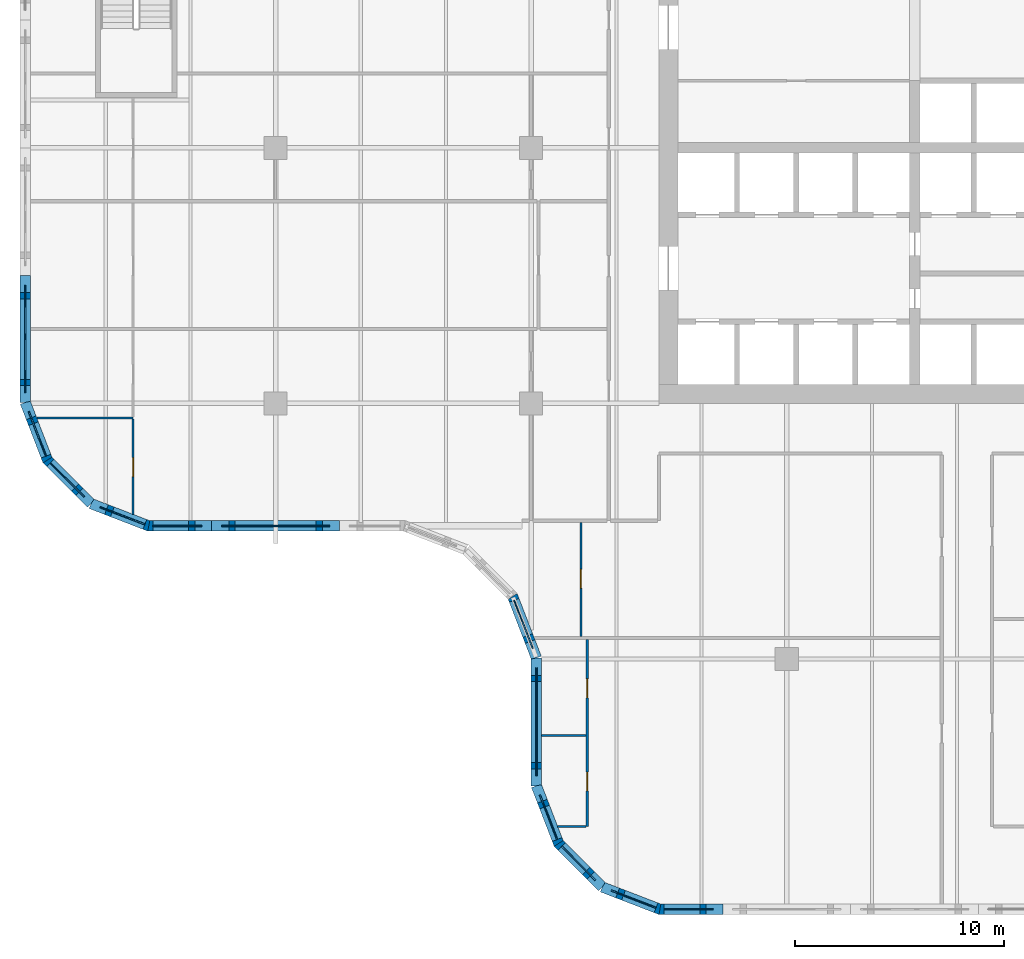
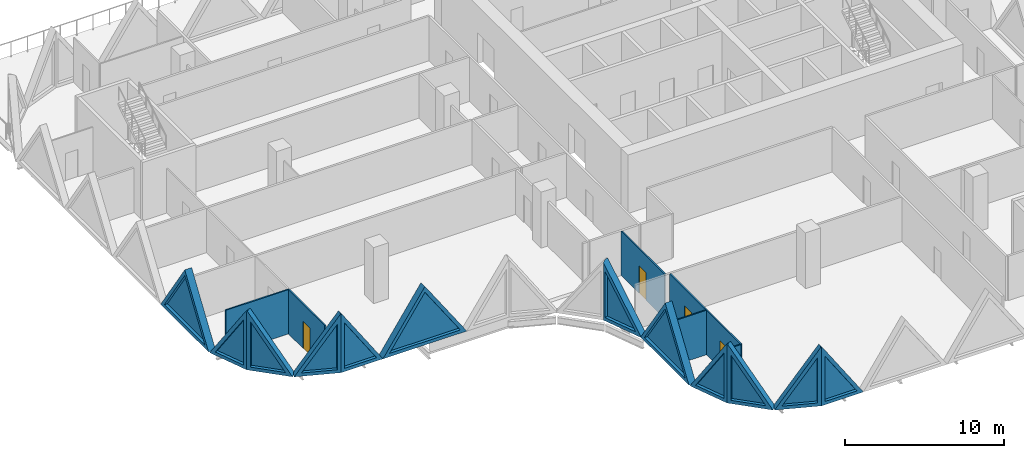
# One storey, part 6 of 21: 18 walls, 12 plates, 4 doors, 16 openings.
"""IFC4 building model written with IfcOpenShell, lengths in metres."""

import ifcopenshell
import ifcopenshell.guid

model = None  # the IFC model being written
_history = None  # IfcOwnerHistory: only IFC2X3 demands one
_inside = {}  # id of a spatial element -> (the spatial element, [elements in it])
_under = {}  # id of a project, library or spatial element -> (it, [spatial elements below it])
_declared = {}  # id of a project -> (the project, [libraries it declares])
_typed = {}  # id of a type object -> (the type object, [elements of that type])
_made_of = {}  # id of a material, layer set ... -> (it, [elements and type objects made of it])


def new_model(schema):
    """Start an empty IFC model of exactly this schema.

    Asked for "IFC4X3", IfcOpenShell would pick the latest addendum, in which some entities
    have other attributes; the version numbers below select the first issue.
    IFC2X3 requires an IfcOwnerHistory on every rooted entity: one is made here for all.
    """
    global model, _history
    if schema == "IFC4X3":
        model = ifcopenshell.file(schema_version=(4, 3, 0, 0))
    else:
        model = ifcopenshell.file(schema=schema)
    _inside.clear()
    _under.clear()
    _declared.clear()
    _typed.clear()
    _made_of.clear()
    _history = None
    if model.schema == "IFC2X3":
        org = make("IfcOrganization", Name="unknown")
        user = make(
            "IfcPersonAndOrganization",
            ThePerson=make("IfcPerson", FamilyName="unknown"),
            TheOrganization=org,
        )
        app = make(
            "IfcApplication",
            ApplicationDeveloper=org,
            Version="unknown",
            ApplicationFullName="unknown",
            ApplicationIdentifier="unknown",
        )
        _history = make(
            "IfcOwnerHistory",
            OwningUser=user,
            OwningApplication=app,
            ChangeAction="ADDED",
            CreationDate=0,
        )
    return model


def make(cls, **values):
    """One entity of the class cls with the attributes given. An attribute that is None is left unset."""
    return model.create_entity(
        cls, **{name: value for name, value in values.items() if value is not None}
    )


def rooted(cls, **values):
    """An entity with a GlobalId (a new one), such as an element, a storey or a relation."""
    return make(cls, GlobalId=ifcopenshell.guid.new(), OwnerHistory=_history, **values)


def si_unit(unit_type, name, prefix=None):
    """IfcSIUnit, for example si_unit("LENGTHUNIT", "METRE", prefix="MILLI")."""
    return make("IfcSIUnit", UnitType=unit_type, Prefix=prefix, Name=name)


def assignment(units):
    """IfcUnitAssignment: the units of a project."""
    return None if units is None else make("IfcUnitAssignment", Units=units)


def point(xyz):
    """IfcCartesianPoint."""
    return None if xyz is None else make("IfcCartesianPoint", Coordinates=xyz)


def direction(xyz):
    """IfcDirection."""
    return None if xyz is None else make("IfcDirection", DirectionRatios=xyz)


def frame(location, z_axis=None, x_axis=None):
    """IfcAxis2Placement3D, a coordinate frame: its origin and axes. An axis left out is left unset."""
    return make(
        "IfcAxis2Placement3D",
        Location=point(location),
        Axis=direction(z_axis),
        RefDirection=direction(x_axis),
    )


def frame_2d(location, x_axis=None):
    """IfcAxis2Placement2D, a coordinate frame in the plane: its origin and x axis."""
    return make(
        "IfcAxis2Placement2D", Location=point(location), RefDirection=direction(x_axis)
    )


def origin():
    """The frame at (0, 0, 0) with its axes left unset."""
    return frame((0.0, 0.0, 0.0))


def place(relative_to, where):
    """IfcLocalPlacement: puts the frame where relative to a parent placement (None: the world)."""
    return make(
        "IfcLocalPlacement", PlacementRelTo=relative_to, RelativePlacement=where
    )


def context(
    kind, dimensions, precision=None, world=None, true_north=None, identifier=None
):
    """IfcGeometricRepresentationContext, for example the 3D "Model" context."""
    return make(
        "IfcGeometricRepresentationContext",
        ContextIdentifier=identifier,
        ContextType=kind,
        CoordinateSpaceDimension=dimensions,
        Precision=precision,
        WorldCoordinateSystem=world,
        TrueNorth=true_north,
    )


def subcontext(parent, identifier, kind, view, scale=None):
    """IfcGeometricRepresentationSubContext, for example "Body" below "Model"."""
    return make(
        "IfcGeometricRepresentationSubContext",
        ContextIdentifier=identifier,
        ContextType=kind,
        ParentContext=parent,
        TargetScale=scale,
        TargetView=view,
    )


def project(units=None, contexts=None):
    """IfcProject with its units and contexts."""
    return rooted(
        "IfcProject",
        Name="project",
        RepresentationContexts=contexts,
        UnitsInContext=assignment(units),
    )


def spatial(cls, under=None, at=None, **own):
    """A site, building, storey or space (cls), placed at a placement, below another one or the project."""
    s = rooted(cls, ObjectPlacement=at, **own)
    if under is not None:
        _under.setdefault(under.id(), (under, []))[1].append(s)
    return s


def polyline(points):
    """IfcPolyline through the points."""
    return make("IfcPolyline", Points=[point(p) for p in points])


def profile(cls, at=None, kind="AREA", **sizes):
    """A parametric profile (cls). Its sizes go by their IFC names, for example OverallWidth=200.0."""
    return make(cls, ProfileType=kind, Position=at, **sizes)


def rectangle(**sizes):
    """IfcRectangleProfileDef."""
    return profile("IfcRectangleProfileDef", **sizes)


def outline(outer, holes=None, kind="AREA"):
    """IfcArbitraryClosedProfileDef: a profile drawn as a closed curve; with holes, ...WithVoids."""
    if holes is None:
        return make("IfcArbitraryClosedProfileDef", ProfileType=kind, OuterCurve=outer)
    return make(
        "IfcArbitraryProfileDefWithVoids",
        ProfileType=kind,
        OuterCurve=outer,
        InnerCurves=holes,
    )


def extrude(swept, where, along, depth):
    """IfcExtrudedAreaSolid: the profile swept, set in the frame where, extruded along a direction by depth."""
    return make(
        "IfcExtrudedAreaSolid",
        SweptArea=swept,
        Position=where,
        ExtrudedDirection=direction(along),
        Depth=depth,
    )


def faces_of(points, faces, orient=None, outer=None):
    """IfcFace entities. A face is a list of loops; a loop is a list of indices into points, from 0.

    orient and outer hold one flag for each loop. By default every Orientation is true, the
    first loop of a face is its IfcFaceOuterBound and the others are IfcFaceBound.
    """
    made = []
    for i, loops in enumerate(faces):
        bounds = []
        for j, loop in enumerate(loops):
            is_outer = j == 0 if outer is None else outer[i][j]
            bounds.append(
                make(
                    "IfcFaceOuterBound" if is_outer else "IfcFaceBound",
                    Bound=make("IfcPolyLoop", Polygon=[points[k] for k in loop]),
                    Orientation=True if orient is None else orient[i][j],
                )
            )
        made.append(make("IfcFace", Bounds=bounds))
    return made


def faceted_brep(points, faces, orient=None, outer=None, voids=None):
    """IfcFacetedBrep: a solid bounded by flat faces; with voids (closed shells), ...WithVoids."""
    shared = [point(p) for p in points]
    hull = make("IfcClosedShell", CfsFaces=faces_of(shared, faces, orient, outer))
    if voids is None:
        return make("IfcFacetedBrep", Outer=hull)
    return make(
        "IfcFacetedBrepWithVoids",
        Outer=hull,
        Voids=[
            make(cls, CfsFaces=faces_of(shared, fs, o, b)) for cls, fs, o, b in voids
        ],
    )


def shape(context_of_items, identifier, shape_type, items):
    """IfcShapeRepresentation: the items that make up one representation, for example the "Body"."""
    return make(
        "IfcShapeRepresentation",
        ContextOfItems=context_of_items,
        RepresentationIdentifier=identifier,
        RepresentationType=shape_type,
        Items=items,
    )


def source(mapping_origin, context_of_items, identifier, shape_type, items):
    """IfcRepresentationMap: a shape defined once, which mapped items show again and again."""
    return make(
        "IfcRepresentationMap",
        MappingOrigin=mapping_origin,
        MappedRepresentation=shape(context_of_items, identifier, shape_type, items),
    )


def transform(
    local_origin,
    x_axis=None,
    y_axis=None,
    z_axis=None,
    scale=None,
    scale2=None,
    scale3=None,
    uniform=True,
):
    """IfcCartesianTransformationOperator3D, or its non-uniform kind. x_axis, y_axis, z_axis: its Axis1, 2, 3."""
    if uniform:
        return make(
            "IfcCartesianTransformationOperator3D",
            Axis1=direction(x_axis),
            Axis2=direction(y_axis),
            LocalOrigin=point(local_origin),
            Scale=scale,
            Axis3=direction(z_axis),
        )
    return make(
        "IfcCartesianTransformationOperator3DnonUniform",
        Axis1=direction(x_axis),
        Axis2=direction(y_axis),
        LocalOrigin=point(local_origin),
        Scale=scale,
        Axis3=direction(z_axis),
        Scale2=scale2,
        Scale3=scale3,
    )


def mapped(mapping_source, mapping_target):
    """IfcMappedItem: shows the shape of a source again, moved by a transform."""
    return make(
        "IfcMappedItem", MappingSource=mapping_source, MappingTarget=mapping_target
    )


def material(Name=None, Category=None):
    """IfcMaterial."""
    return make("IfcMaterial", Name=Name, Category=Category)


def layer(
    of_material, thickness, ventilated=None, Name=None, Category=None, Priority=None
):
    """IfcMaterialLayer: one layer of a wall or slab, of a material (None: an air gap)."""
    return make(
        "IfcMaterialLayer",
        Material=of_material,
        LayerThickness=thickness,
        IsVentilated=ventilated,
        Name=Name,
        Category=Category,
        Priority=Priority,
    )


def layer_set(layers, Name=None):
    """IfcMaterialLayerSet."""
    return make("IfcMaterialLayerSet", MaterialLayers=layers, LayerSetName=Name)


def made_of(thing, what):
    """Note that an element or type object is made of a material, layer set ...; save() writes the relation."""
    if what is not None:
        _made_of.setdefault(what.id(), (what, []))[1].append(thing)
    return thing


def type_object(cls, material=None, **own):
    """A type object (cls), such as IfcWallType, which elements share."""
    return made_of(rooted(cls, **own), material)


def element(
    cls,
    number,
    at=None,
    inside=None,
    cuts=None,
    type_object=None,
    material=None,
    context=None,
    identifier="Body",
    shape_type=None,
    held_by="IfcProductDefinitionShape",
    body=None,
    shapes=None,
    **own,
):
    """One element of the class cls, such as IfcWall. Its Tag is "e" and its number.

    at: its placement. inside: the storey or other place that contains it. cuts: it is an
    opening in that element (IfcRelVoidsElement). A single representation is given by context,
    identifier, shape_type and body (its items); several are given by shapes. held_by: the class
    of the entity that holds the representations. save() writes the other relations.
    """
    e = rooted(cls, Tag="e%d" % number, ObjectPlacement=at, **own)
    if body is not None:
        shapes = [shape(context, identifier, shape_type, body)]
    if shapes is not None:
        e.Representation = make(held_by, Representations=shapes)
    if inside is not None:
        _inside.setdefault(inside.id(), (inside, []))[1].append(e)
    if cuts is not None:
        rooted(
            "IfcRelVoidsElement", RelatingBuildingElement=cuts, RelatedOpeningElement=e
        )
    if type_object is not None:
        _typed.setdefault(type_object.id(), (type_object, []))[1].append(e)
    return made_of(e, material)


def fill(opening, filler):
    """IfcRelFillsElement: the door or window that sits in an opening."""
    return rooted(
        "IfcRelFillsElement",
        RelatingOpeningElement=opening,
        RelatedBuildingElement=filler,
    )


def aggregate(whole, parts):
    """IfcRelAggregates: a whole, such as a stair, and the parts it consists of."""
    return rooted("IfcRelAggregates", RelatingObject=whole, RelatedObjects=parts)


def save(model, path):
    """Write the relations noted so far, then the file.

    IfcRelAggregates (storeys below a building ...), IfcRelContainedInSpatialStructure (elements
    in a storey), IfcRelDefinesByType, IfcRelAssociatesMaterial and IfcRelDeclares: one each for
    every whole, place, type object, material and project.
    """
    for whole, parts in _under.values():
        aggregate(whole, parts)
    for where, things in _inside.values():
        rooted(
            "IfcRelContainedInSpatialStructure",
            RelatedElements=things,
            RelatingStructure=where,
        )
    for kind, things in _typed.values():
        rooted("IfcRelDefinesByType", RelatedObjects=things, RelatingType=kind)
    for what, things in _made_of.values():
        rooted("IfcRelAssociatesMaterial", RelatedObjects=things, RelatingMaterial=what)
    for by, libraries in _declared.values():
        rooted("IfcRelDeclares", RelatingContext=by, RelatedDefinitions=libraries)
    model.write(path)


model = new_model("IFC4")

# Units and contexts
model_context = context("Model", 3, precision=1e-05, world=origin(), true_north=direction((0.0, 1.0)))
body_context = subcontext(model_context, "Body", "Model", "MODEL_VIEW")
ifc_project = project(units=[si_unit("LENGTHUNIT", "METRE"), si_unit("AREAUNIT", "SQUARE_METRE"), si_unit("VOLUMEUNIT", "CUBIC_METRE"), si_unit("PLANEANGLEUNIT", "RADIAN"), si_unit("MASSUNIT", "GRAM", prefix="KILO")], contexts=[model_context])

# Site, building, storey
site_placement = place(None, origin())
site = spatial("IfcSite", under=ifc_project, at=site_placement, CompositionType="ELEMENT")
building_placement = place(site_placement, origin())
building = spatial("IfcBuilding", under=site, at=building_placement, Name="Tessera Gate Towers", CompositionType="ELEMENT")
storey_placement = place(building_placement, frame((0.0, 0.0, 16.800048828125)))
storey = spatial("IfcBuildingStorey", under=building, at=storey_placement, Name="L03", CompositionType="ELEMENT", Elevation=16.800048828125)

# Wall
ifc_material_1 = material(Name="Gypsum board on steel studs", Category="steel")
ifc_layer_1 = layer(ifc_material_1, 0.10009765625)
ifc_layer_set_1 = layer_set([ifc_layer_1], Name="PARTITION 100")
wall_type_1 = type_object("IfcWallType", Name="PARTITION 100", PredefinedType="PARTITIONING", material=ifc_layer_set_1)
wall_1_placement = place(storey_placement, frame((25.668701171875, 4.199951171875, 0.0), z_axis=(0.0, 0.0, 1.0), x_axis=(1.0, 0.0, 0.0)))
element("IfcWall", 1, at=wall_1_placement, inside=storey, type_object=wall_type_1, Name="T1-L03-PW-003", PredefinedType="PARTITIONING", context=body_context, shape_type="SweptSolid", body=[
    extrude(rectangle(XDim=1.355224609375, YDim=0.10009765625, at=frame_2d((0.677734375, 0.0))), origin(), (0.0, 0.0, 1.0), 3.4150390625),
])

# Wall, openings, doors
wall_2_placement = place(storey_placement, frame((27.074951171875, 4.199951171875, 0.0), z_axis=(0.0, 0.0, 1.0), x_axis=(0.0, 1.0, 0.0)))
wall_2 = element("IfcWall", 2, at=wall_2_placement, inside=storey, type_object=wall_type_1, Name="T1-L03-PW-004", PredefinedType="PARTITIONING", context=body_context, shape_type="SweptSolid", body=[
    extrude(rectangle(XDim=8.924072265625, YDim=0.10009765625, at=frame_2d((4.4619140625, 0.0))), origin(), (0.0, 0.0, 1.0), 3.4150390625),
])
shared_shape_1 = source(origin(), body_context, "Body", "SweptSolid", [
    extrude(rectangle(XDim=0.89990234375, YDim=2.10009765625, at=frame_2d((0.449951171875, 1.050048828125))), frame((0.0, 0.06005859375, 0.0), z_axis=(0.0, -1.0, 0.0), x_axis=(1.0, 0.0, 0.0)), (0.0, 0.0, 1.0), 0.1201171875),
])
opening_1_placement = place(wall_2_placement, frame((6.147705078125, 0.0, 0.0)))
opening_1 = element("IfcOpeningElement", 3, at=opening_1_placement, cuts=wall_2, Name="Opening D190-A00-03", PredefinedType="OPENING", context=body_context, shape_type="MappedRepresentation", body=[
    mapped(shared_shape_1, transform((0.0, 0.0, 0.0), scale=1.0)),
])
opening_2_placement = place(wall_2_placement, frame((1.699951171875, 0.0, 0.0)))
opening_2 = element("IfcOpeningElement", 4, at=opening_2_placement, cuts=wall_2, Name="Opening D190-A00-08", PredefinedType="OPENING", context=body_context, shape_type="MappedRepresentation", body=[
    mapped(shared_shape_1, transform((0.0, 0.0, 0.0), scale=1.0)),
])
ifc_material_2 = material(Name="Timber door leaf in steel frame", Category="steel")
door_type = type_object("IfcDoorType", Name="INTERNAL DOOR 900 NOT RATED", OperationType="NOTDEFINED", PredefinedType="DOOR", material=ifc_material_2)
shared_shape_2 = source(origin(), body_context, "Body", "SweptSolid", [
    extrude(rectangle(XDim=0.89990234375, YDim=2.10009765625, at=frame_2d((0.449951171875, 1.050048828125))), frame((0.0, 0.02490234375, 0.0), z_axis=(0.0, -1.0, 0.0), x_axis=(1.0, 0.0, 0.0)), (0.0, 0.0, 1.0), 0.050048828125),
])
door_1_placement = place(opening_1_placement, origin())
door_1 = element("IfcDoor", 5, at=door_1_placement, inside=storey, type_object=door_type, Name="T1-L03-PD-004", OperationType="SINGLE_SWING_LEFT", OverallHeight=2.10009765625, OverallWidth=0.89990234375, PredefinedType="DOOR", context=body_context, shape_type="MappedRepresentation", body=[
    mapped(shared_shape_2, transform((0.0, 0.0, 0.0), scale=1.0)),
])
fill(opening_1, door_1)
door_2_placement = place(opening_2_placement, origin())
door_2 = element("IfcDoor", 6, at=door_2_placement, inside=storey, type_object=door_type, Name="T1-L03-PD-011", OperationType="SINGLE_SWING_LEFT", OverallHeight=2.10009765625, OverallWidth=0.89990234375, PredefinedType="DOOR", context=body_context, shape_type="MappedRepresentation", body=[
    mapped(shared_shape_2, transform((0.0, 0.0, 0.0), scale=1.0)),
])
fill(opening_2, door_2)

# Wall
wall_3_placement = place(storey_placement, frame((24.89990234375, 8.548095703125, 0.0), z_axis=(0.0, 0.0, 1.0), x_axis=(1.0, 0.0, 0.0)))
element("IfcWall", 7, at=wall_3_placement, inside=storey, type_object=wall_type_1, Name="T1-L03-PW-008", PredefinedType="PARTITIONING", context=body_context, shape_type="SweptSolid", body=[
    extrude(rectangle(XDim=2.1240234375, YDim=0.10009765625, at=frame_2d((1.06201171875, 0.0))), origin(), (0.0, 0.0, 1.0), 3.4150390625),
])

# Wall, opening, door
wall_4_placement = place(storey_placement, frame((26.77490234375, 13.27587890625, 0.0), z_axis=(0.0, 0.0, 1.0), x_axis=(0.0, 1.0, 0.0)))
wall_4 = element("IfcWall", 8, at=wall_4_placement, inside=storey, type_object=wall_type_1, Name="T1-L03-PW-011", PredefinedType="PARTITIONING", context=body_context, shape_type="SweptSolid", body=[
    extrude(rectangle(XDim=5.4482421875, YDim=0.10009765625, at=frame_2d((2.72412109375, 0.0))), origin(), (0.0, 0.0, 1.0), 3.4150390625),
])
opening_3_placement = place(wall_4_placement, frame((2.300048828125, 0.0, 0.0)))
opening_3 = element("IfcOpeningElement", 9, at=opening_3_placement, cuts=wall_4, Name="Opening D190-A00-07", PredefinedType="OPENING", context=body_context, shape_type="MappedRepresentation", body=[
    mapped(shared_shape_1, transform((0.0, 0.0, 0.0), scale=1.0)),
])
door_3_placement = place(opening_3_placement, origin())
door_3 = element("IfcDoor", 10, at=door_3_placement, inside=storey, type_object=door_type, Name="T1-L03-PD-010", OperationType="SINGLE_SWING_LEFT", OverallHeight=2.10009765625, OverallWidth=0.89990234375, PredefinedType="DOOR", context=body_context, shape_type="MappedRepresentation", body=[
    mapped(shared_shape_2, transform((0.0, 0.0, 0.0), scale=1.0)),
])
fill(opening_3, door_3)

wall_5_placement = place(storey_placement, frame((5.39990234375, 19.10595703125, 0.0), z_axis=(0.0, 0.0, 1.0), x_axis=(0.0, 1.0, 0.0)))
wall_5 = element("IfcWall", 11, at=wall_5_placement, inside=storey, type_object=wall_type_1, Name="T1-L03-PW-021", PredefinedType="PARTITIONING", context=body_context, shape_type="SweptSolid", body=[
    extrude(rectangle(XDim=4.538330078125, YDim=0.10009765625, at=frame_2d((2.26904296875, 0.0))), origin(), (0.0, 0.0, 1.0), 3.4150390625),
])
opening_4_placement = place(wall_5_placement, frame((1.800048828125, 0.0, 0.0)))
opening_4 = element("IfcOpeningElement", 12, at=opening_4_placement, cuts=wall_5, Name="Opening D190-A00-02", PredefinedType="OPENING", context=body_context, shape_type="MappedRepresentation", body=[
    mapped(shared_shape_1, transform((0.0, 0.0, 0.0), scale=1.0)),
])
door_4_placement = place(opening_4_placement, origin())
door_4 = element("IfcDoor", 13, at=door_4_placement, inside=storey, type_object=door_type, Name="T1-L03-PD-003", OperationType="SINGLE_SWING_LEFT", OverallHeight=2.10009765625, OverallWidth=0.89990234375, PredefinedType="DOOR", context=body_context, shape_type="MappedRepresentation", body=[
    mapped(shared_shape_2, transform((0.0, 0.0, 0.0), scale=1.0)),
])
fill(opening_4, door_4)

# Wall
wall_6_placement = place(storey_placement, frame((0.807861328125, 23.695068359375, 0.0), z_axis=(0.0, 0.0, 1.0), x_axis=(1.0, 0.0, 0.0)))
element("IfcWall", 14, at=wall_6_placement, inside=storey, type_object=wall_type_1, Name="T1-L03-PW-026", PredefinedType="PARTITIONING", context=body_context, shape_type="SweptSolid", body=[
    extrude(rectangle(XDim=4.592041015625, YDim=0.10009765625, at=frame_2d((2.2958984375, 0.0))), origin(), (0.0, 0.0, 1.0), 3.4150390625),
])

# Wall, opening, plate
ifc_material_3 = material(Name="Precast concrete C60/75 white", Category="concrete")
ifc_layer_2 = layer(ifc_material_3, 0.5)
ifc_layer_set_2 = layer_set([ifc_layer_2], Name="TS3 corner tessera")
wall_type_2 = type_object("IfcWallType", Name="TS3 corner tessera", PredefinedType="SOLIDWALL", material=ifc_layer_set_2)
shared_shape_3 = source(origin(), body_context, "Body", "Brep", [
    faceted_brep([(3.050048828125, -0.25, 0.0), (0.046630859375, -0.25, 4.5), (0.0, -0.25, 4.428955078125), (0.0, -0.25, 0.0), (0.09326171875, 0.25, 4.43017578125), (3.050048828125, 0.25, 0.0), (0.09326171875, 0.25, 0.0), (0.046630859375, 0.0, 4.5)], [[[0, 1, 2, 3]], [[4, 5, 6]], [[5, 4, 7, 1, 0]], [[2, 1, 7]], [[6, 5, 0, 3]], [[6, 3, 2, 7, 4]]]),
])
wall_7_placement = place(storey_placement, frame((30.5, 0.25, 0.0), z_axis=(0.0, 0.0, 1.0), x_axis=(1.0, 0.0, 0.0)))
wall_7 = element("IfcWall", 15, at=wall_7_placement, inside=storey, type_object=wall_type_2, Name="Precast corner tessera T1 TS3-0001", PredefinedType="SOLIDWALL", context=body_context, shape_type="MappedRepresentation", body=[
    mapped(shared_shape_3, transform((0.0, 0.0, 0.0), scale=1.0)),
])
shared_shape_4 = source(origin(), body_context, "Body", "SweptSolid", [
    extrude(outline(polyline([(2.582763671875, 0.25), (0.24658203125, 3.75), (0.24658203125, 0.25), (2.582763671875, 0.25)])), frame((0.0, 0.260009765625, 0.0), z_axis=(0.0, -1.0, 0.0), x_axis=(1.0, 0.0, 0.0)), (0.0, 0.0, 1.0), 0.52001953125),
])
opening_5_placement = place(wall_7_placement, origin())
opening_5 = element("IfcOpeningElement", 16, at=opening_5_placement, cuts=wall_7, Name="Opening T1-PL1-0001", PredefinedType="OPENING", context=body_context, shape_type="MappedRepresentation", body=[
    mapped(shared_shape_4, transform((0.0, 0.0, 0.0), scale=1.0)),
])
ifc_material_4 = material(Name="Low-e laminated glass", Category="glass")
ifc_layer_3 = layer(ifc_material_4, 0.06005859375)
ifc_layer_set_3 = layer_set([ifc_layer_3], Name="PL1 triangular pane")
plate_type = type_object("IfcPlateType", Name="PL1 triangular pane", PredefinedType="SHEET", material=ifc_layer_set_3)
shared_shape_5 = source(origin(), body_context, "Body", "SweptSolid", [
    extrude(outline(polyline([(2.582763671875, 0.25), (0.24658203125, 3.75), (0.24658203125, 0.25), (2.582763671875, 0.25)])), frame((0.0, 0.030029296875, 0.0), z_axis=(0.0, -1.0, 0.0), x_axis=(1.0, 0.0, 0.0)), (0.0, 0.0, 1.0), 0.06005859375),
])
plate_1_placement = place(opening_5_placement, origin())
plate_1 = element("IfcPlate", 17, at=plate_1_placement, inside=storey, type_object=plate_type, Name="Glass pane T1 PL1-0001", PredefinedType="SHEET", context=body_context, shape_type="MappedRepresentation", body=[
    mapped(shared_shape_5, transform((0.0, 0.0, 0.0), scale=1.0)),
])
fill(opening_5, plate_1)

wall_8_placement = place(storey_placement, frame((6.099853515625, 18.550048828125, 0.0), z_axis=(0.0, 0.0, 1.0), x_axis=(1.0, 0.0, 0.0)))
wall_8 = element("IfcWall", 18, at=wall_8_placement, inside=storey, type_object=wall_type_2, Name="Precast corner tessera T1 TS3-0018", PredefinedType="SOLIDWALL", context=body_context, shape_type="MappedRepresentation", body=[
    mapped(shared_shape_3, transform((0.0, 0.0, 0.0), scale=1.0)),
])
opening_6_placement = place(wall_8_placement, origin())
opening_6 = element("IfcOpeningElement", 19, at=opening_6_placement, cuts=wall_8, Name="Opening T1-PL1-0038", PredefinedType="OPENING", context=body_context, shape_type="MappedRepresentation", body=[
    mapped(shared_shape_4, transform((0.0, 0.0, 0.0), scale=1.0)),
])
plate_2_placement = place(opening_6_placement, origin())
plate_2 = element("IfcPlate", 20, at=plate_2_placement, inside=storey, type_object=plate_type, Name="Glass pane T1 PL1-0038", PredefinedType="SHEET", context=body_context, shape_type="MappedRepresentation", body=[
    mapped(shared_shape_5, transform((0.0, 0.0, 0.0), scale=1.0)),
])
fill(opening_6, plate_2)

shared_shape_6 = source(origin(), body_context, "Body", "Brep", [
    faceted_brep([(2.9970703125, -0.25, 4.43017578125), (2.950439453125, -0.25, 4.5), (0.0, -0.25, 0.0), (2.9970703125, -0.25, 0.0), (0.052978515625, 0.25, 0.080810546875), (2.904052734375, 0.25, 4.42919921875), (2.904052734375, 0.25, 0.0), (0.052978515625, 0.25, 0.0), (2.950439453125, 0.00048828125, 4.5), (0.0, 0.0, 0.0)], [[[0, 1, 2, 3]], [[4, 5, 6, 7]], [[8, 1, 0]], [[5, 4, 9, 2, 1, 8]], [[7, 6, 3, 2, 9]], [[7, 9, 4]], [[3, 6, 5, 8, 0]]]),
])
wall_9_placement = place(storey_placement, frame((27.793701171875, 1.31201171875, 0.0), z_axis=(0.0, 0.0, 1.0), x_axis=(0.932973525033, -0.359944998003, 0.0)))
wall_9 = element("IfcWall", 21, at=wall_9_placement, inside=storey, type_object=wall_type_2, Name="Precast corner tessera T1 TS3-0002", PredefinedType="SOLIDWALL", context=body_context, shape_type="MappedRepresentation", body=[
    mapped(shared_shape_6, transform((0.0, 0.0, 0.0), scale=1.0)),
])
shared_shape_7 = source(origin(), body_context, "Body", "SweptSolid", [
    extrude(outline(polyline([(2.75048828125, 3.739013671875), (0.462890625, 0.25), (2.75048828125, 0.25), (2.75048828125, 3.739013671875)])), frame((0.0, 0.260009765625, 0.0), z_axis=(0.0, -1.0, 0.0), x_axis=(1.0, 0.0, 0.0)), (0.0, 0.0, 1.0), 0.52001953125),
])
opening_7_placement = place(wall_9_placement, origin())
opening_7 = element("IfcOpeningElement", 22, at=opening_7_placement, cuts=wall_9, Name="Opening T1-PL1-0002", PredefinedType="OPENING", context=body_context, shape_type="MappedRepresentation", body=[
    mapped(shared_shape_7, transform((0.0, 0.0, 0.0), scale=1.0)),
])
shared_shape_8 = source(origin(), body_context, "Body", "SweptSolid", [
    extrude(outline(polyline([(2.75048828125, 3.739013671875), (0.462890625, 0.25), (2.75048828125, 0.25), (2.75048828125, 3.739013671875)])), frame((0.0, 0.030029296875, 0.0), z_axis=(0.0, -1.0, 0.0), x_axis=(1.0, 0.0, 0.0)), (0.0, 0.0, 1.0), 0.06005859375),
])
plate_3_placement = place(opening_7_placement, origin())
plate_3 = element("IfcPlate", 23, at=plate_3_placement, inside=storey, type_object=plate_type, Name="Glass pane T1 PL1-0002", PredefinedType="SHEET", context=body_context, shape_type="MappedRepresentation", body=[
    mapped(shared_shape_8, transform((0.0, 0.0, 0.0), scale=1.0)),
])
fill(opening_7, plate_3)

ifc_material_5 = material(Name="Precast concrete C60/75 white", Category="concrete")
ifc_layer_4 = layer(ifc_material_5, 0.5)
ifc_layer_set_4 = layer_set([ifc_layer_4], Name="TS2 half tessera")
wall_type_3 = type_object("IfcWallType", Name="TS2 half tessera", PredefinedType="SOLIDWALL", material=ifc_layer_set_4)
shared_shape_9 = source(origin(), body_context, "Body", "SweptSolid", [
    extrude(outline(polyline([(6.10009765625, 0.0), (3.050048828125, 4.5), (0.0, 0.0), (6.10009765625, 0.0)])), frame((0.0, 0.25, 0.0), z_axis=(0.0, -1.0, 0.0), x_axis=(1.0, 0.0, 0.0)), (0.0, 0.0, 1.0), 0.5),
])
wall_10_placement = place(storey_placement, frame((9.14990234375, 18.550048828125, 0.0), z_axis=(0.0, 0.0, 1.0), x_axis=(1.0, 0.0, 0.0)))
wall_10 = element("IfcWall", 24, at=wall_10_placement, inside=storey, type_object=wall_type_3, Name="Precast half tessera T1 TS2-0021", PredefinedType="SOLIDWALL", context=body_context, shape_type="MappedRepresentation", body=[
    mapped(shared_shape_9, transform((0.0, 0.0, 0.0), scale=1.0)),
])
shared_shape_10 = source(origin(), body_context, "Body", "SweptSolid", [
    extrude(outline(polyline([(5.628662109375, 0.25), (3.050048828125, 4.054443359375), (0.471435546875, 0.25), (5.628662109375, 0.25)])), frame((0.0, 0.260009765625, 0.0), z_axis=(0.0, -1.0, 0.0), x_axis=(1.0, 0.0, 0.0)), (0.0, 0.0, 1.0), 0.52001953125),
])
opening_8_placement = place(wall_10_placement, origin())
opening_8 = element("IfcOpeningElement", 25, at=opening_8_placement, cuts=wall_10, Name="Opening T1-PL1-0039", PredefinedType="OPENING", context=body_context, shape_type="MappedRepresentation", body=[
    mapped(shared_shape_10, transform((0.0, 0.0, 0.0), scale=1.0)),
])
shared_shape_11 = source(origin(), body_context, "Body", "SweptSolid", [
    extrude(outline(polyline([(5.628662109375, 0.25), (3.050048828125, 4.054443359375), (0.471435546875, 0.25), (5.628662109375, 0.25)])), frame((0.0, 0.030029296875, 0.0), z_axis=(0.0, -1.0, 0.0), x_axis=(1.0, 0.0, 0.0)), (0.0, 0.0, 1.0), 0.06005859375),
])
plate_4_placement = place(opening_8_placement, origin())
plate_4 = element("IfcPlate", 26, at=plate_4_placement, inside=storey, type_object=plate_type, Name="Glass pane T1 PL1-0039", PredefinedType="SHEET", context=body_context, shape_type="MappedRepresentation", body=[
    mapped(shared_shape_11, transform((0.0, 0.0, 0.0), scale=1.0)),
])
fill(opening_8, plate_4)

shared_shape_12 = source(origin(), body_context, "Body", "Brep", [
    faceted_brep([(6.053466796875, -0.25, 0.0), (3.050048828125, -0.25, 4.5), (0.0, -0.25, 0.0), (0.0, 0.25, 0.0), (3.050048828125, 0.25, 4.5), (6.0068359375, 0.25, 0.06982421875), (6.0068359375, 0.25, 0.0), (6.053466796875, 0.0, 0.0)], [[[0, 1, 2]], [[3, 4, 5, 6]], [[5, 4, 1, 0, 7]], [[4, 3, 2, 1]], [[3, 6, 7, 0, 2]], [[7, 6, 5]]]),
])
wall_11_placement = place(storey_placement, frame((0.25, 30.5, 0.0), z_axis=(0.0, 0.0, 1.0), x_axis=(0.0, -1.0, 0.0)))
wall_11 = element("IfcWall", 27, at=wall_11_placement, inside=storey, type_object=wall_type_3, Name="Precast half tessera T1 TS2-0020", PredefinedType="SOLIDWALL", context=body_context, shape_type="MappedRepresentation", body=[
    mapped(shared_shape_12, transform((0.0, 0.0, 0.0), scale=1.0)),
])
shared_shape_13 = source(origin(), body_context, "Body", "SweptSolid", [
    extrude(outline(polyline([(5.5859375, 0.25), (3.04833984375, 4.052001953125), (0.471435546875, 0.25), (5.5859375, 0.25)])), frame((0.0, 0.260009765625, 0.0), z_axis=(0.0, -1.0, 0.0), x_axis=(1.0, 0.0, 0.0)), (0.0, 0.0, 1.0), 0.52001953125),
])
opening_9_placement = place(wall_11_placement, origin())
opening_9 = element("IfcOpeningElement", 28, at=opening_9_placement, cuts=wall_11, Name="Opening T1-PL1-0034", PredefinedType="OPENING", context=body_context, shape_type="MappedRepresentation", body=[
    mapped(shared_shape_13, transform((0.0, 0.0, 0.0), scale=1.0)),
])
shared_shape_14 = source(origin(), body_context, "Body", "SweptSolid", [
    extrude(outline(polyline([(5.5859375, 0.25), (3.04833984375, 4.052001953125), (0.471435546875, 0.25), (5.5859375, 0.25)])), frame((0.0, 0.030029296875, 0.0), z_axis=(0.0, -1.0, 0.0), x_axis=(1.0, 0.0, 0.0)), (0.0, 0.0, 1.0), 0.06005859375),
])
plate_5_placement = place(opening_9_placement, origin())
plate_5 = element("IfcPlate", 29, at=plate_5_placement, inside=storey, type_object=plate_type, Name="Glass pane T1 PL1-0034", PredefinedType="SHEET", context=body_context, shape_type="MappedRepresentation", body=[
    mapped(shared_shape_14, transform((0.0, 0.0, 0.0), scale=1.0)),
])
fill(opening_9, plate_5)

shared_shape_15 = source(origin(), body_context, "Body", "Brep", [
    faceted_brep([(3.00341796875, -0.25, 4.4189453125), (2.950439453125, -0.25, 4.5), (0.0, -0.25, 0.0), (3.00341796875, -0.25, 0.0), (0.046630859375, 0.25, 0.071044921875), (2.897705078125, 0.25, 4.41943359375), (2.897705078125, 0.25, 0.0), (0.046630859375, 0.25, 0.0), (2.950439453125, 0.00048828125, 4.5), (0.0, 0.0, 0.0)], [[[0, 1, 2, 3]], [[4, 5, 6, 7]], [[8, 1, 0]], [[5, 4, 9, 2, 1, 8]], [[7, 6, 3, 2, 9]], [[7, 9, 4]], [[3, 6, 5, 8, 0]]]),
])
wall_12_placement = place(storey_placement, frame((0.25, 24.446533203125, 0.0), z_axis=(0.0, 0.0, 1.0), x_axis=(0.35992665181, -0.932980602862, 0.0)))
wall_12 = element("IfcWall", 30, at=wall_12_placement, inside=storey, type_object=wall_type_2, Name="Precast corner tessera T1 TS3-0015", PredefinedType="SOLIDWALL", context=body_context, shape_type="MappedRepresentation", body=[
    mapped(shared_shape_15, transform((0.0, 0.0, 0.0), scale=1.0)),
])
opening_10_placement = place(wall_12_placement, origin())
opening_10 = element("IfcOpeningElement", 31, at=opening_10_placement, cuts=wall_12, Name="Opening T1-PL1-0035", PredefinedType="OPENING", context=body_context, shape_type="MappedRepresentation", body=[
    mapped(shared_shape_7, transform((0.0, 0.0, 0.0), scale=1.0)),
])
plate_6_placement = place(opening_10_placement, origin())
plate_6 = element("IfcPlate", 32, at=plate_6_placement, inside=storey, type_object=plate_type, Name="Glass pane T1 PL1-0035", PredefinedType="SHEET", context=body_context, shape_type="MappedRepresentation", body=[
    mapped(shared_shape_8, transform((0.0, 0.0, 0.0), scale=1.0)),
])
fill(opening_10, plate_6)

shared_shape_16 = source(origin(), body_context, "Body", "Brep", [
    faceted_brep([(2.9970703125, -0.25, 4.43017578125), (2.950439453125, -0.25, 4.5), (0.0, -0.25, 0.0), (2.9970703125, -0.25, 0.0), (0.052978515625, 0.25, 0.080810546875), (2.904052734375, 0.25, 4.42919921875), (2.904052734375, 0.25, 0.0), (0.052978515625, 0.25, 0.0), (2.950439453125, 0.00048828125, 4.5), (0.0, 0.0, 0.0)], [[[0, 1, 2, 3]], [[4, 5, 6, 7]], [[8, 1, 0]], [[5, 4, 9, 2, 1, 8]], [[7, 6, 3, 2, 9]], [[7, 9, 4]], [[3, 6, 5, 8, 0]]]),
])
wall_13_placement = place(storey_placement, frame((3.393798828125, 19.61181640625, 0.0), z_axis=(0.0, 0.0, 1.0), x_axis=(0.932990326376, -0.359901446078, 0.0)))
wall_13 = element("IfcWall", 33, at=wall_13_placement, inside=storey, type_object=wall_type_2, Name="Precast corner tessera T1 TS3-0017", PredefinedType="SOLIDWALL", context=body_context, shape_type="MappedRepresentation", body=[
    mapped(shared_shape_16, transform((0.0, 0.0, 0.0), scale=1.0)),
])
opening_11_placement = place(wall_13_placement, origin())
opening_11 = element("IfcOpeningElement", 34, at=opening_11_placement, cuts=wall_13, Name="Opening T1-PL1-0037", PredefinedType="OPENING", context=body_context, shape_type="MappedRepresentation", body=[
    mapped(shared_shape_7, transform((0.0, 0.0, 0.0), scale=1.0)),
])
plate_7_placement = place(opening_11_placement, origin())
plate_7 = element("IfcPlate", 35, at=plate_7_placement, inside=storey, type_object=plate_type, Name="Glass pane T1 PL1-0037", PredefinedType="SHEET", context=body_context, shape_type="MappedRepresentation", body=[
    mapped(shared_shape_8, transform((0.0, 0.0, 0.0), scale=1.0)),
])
fill(opening_11, plate_7)

shared_shape_17 = source(origin(), body_context, "Body", "Brep", [
    faceted_brep([(2.9970703125, -0.25, 0.0), (0.052978515625, -0.25, 4.5), (0.0, -0.25, 4.419189453125), (0.0, -0.25, 0.0), (0.10595703125, 0.25, 4.419189453125), (2.944091796875, 0.25, 0.080810546875), (2.944091796875, 0.25, 0.0), (0.10595703125, 0.25, 0.0), (0.052978515625, 0.0, 4.5), (2.9970703125, 0.000244140625, 0.0)], [[[0, 1, 2, 3]], [[4, 5, 6, 7]], [[5, 4, 8, 1, 0, 9]], [[2, 1, 8]], [[7, 6, 9, 0, 3]], [[7, 3, 2, 8, 4]], [[9, 6, 5]]]),
])
wall_14_placement = place(storey_placement, frame((1.2744140625, 21.731201171875, 0.0), z_axis=(0.0, 0.0, 1.0), x_axis=(0.707147509625, -0.707066050402, 0.0)))
wall_14 = element("IfcWall", 36, at=wall_14_placement, inside=storey, type_object=wall_type_2, Name="Precast corner tessera T1 TS3-0016", PredefinedType="SOLIDWALL", context=body_context, shape_type="MappedRepresentation", body=[
    mapped(shared_shape_17, transform((0.0, 0.0, 0.0), scale=1.0)),
])
shared_shape_18 = source(origin(), body_context, "Body", "SweptSolid", [
    extrude(outline(polyline([(2.534912109375, 0.25), (0.2529296875, 3.737548828125), (0.2529296875, 0.25), (2.534912109375, 0.25)])), frame((0.0, 0.260009765625, 0.0), z_axis=(0.0, -1.0, 0.0), x_axis=(1.0, 0.0, 0.0)), (0.0, 0.0, 1.0), 0.52001953125),
])
opening_12_placement = place(wall_14_placement, origin())
opening_12 = element("IfcOpeningElement", 37, at=opening_12_placement, cuts=wall_14, Name="Opening T1-PL1-0036", PredefinedType="OPENING", context=body_context, shape_type="MappedRepresentation", body=[
    mapped(shared_shape_18, transform((0.0, 0.0, 0.0), scale=1.0)),
])
shared_shape_19 = source(origin(), body_context, "Body", "SweptSolid", [
    extrude(outline(polyline([(2.534912109375, 0.25), (0.2529296875, 3.737548828125), (0.2529296875, 0.25), (2.534912109375, 0.25)])), frame((0.0, 0.030029296875, 0.0), z_axis=(0.0, -1.0, 0.0), x_axis=(1.0, 0.0, 0.0)), (0.0, 0.0, 1.0), 0.06005859375),
])
plate_8_placement = place(opening_12_placement, origin())
plate_8 = element("IfcPlate", 38, at=plate_8_placement, inside=storey, type_object=plate_type, Name="Glass pane T1 PL1-0036", PredefinedType="SHEET", context=body_context, shape_type="MappedRepresentation", body=[
    mapped(shared_shape_19, transform((0.0, 0.0, 0.0), scale=1.0)),
])
fill(opening_12, plate_8)

shared_shape_20 = source(origin(), body_context, "Body", "Brep", [
    faceted_brep([(3.156005859375, -0.25, 0.06640625), (0.10595703125, -0.25, 4.42431640625), (0.10595703125, -0.25, 0.0), (3.156005859375, -0.25, 0.0), (0.0, 0.25, 4.424560546875), (0.052978515625, 0.25, 4.5), (3.202392578125, 0.25, 0.0), (0.0, 0.25, 0.0), (0.052978515625, 0.0, 4.5), (3.202392578125, -0.000244140625, 0.0)], [[[0, 1, 2, 3]], [[4, 5, 6, 7]], [[6, 5, 8, 1, 0, 9]], [[5, 4, 8]], [[7, 6, 9, 3, 2]], [[7, 2, 1, 8, 4]], [[3, 9, 0]]]),
])
wall_15_placement = place(storey_placement, frame((23.497314453125, 15.234375, 0.0), z_axis=(0.0, 0.0, 1.0), x_axis=(0.359913782069, -0.932985567668, 0.0)))
wall_15 = element("IfcWall", 39, at=wall_15_placement, inside=storey, type_object=wall_type_2, Name="Precast corner tessera T1 TS3-0022", PredefinedType="SOLIDWALL", context=body_context, shape_type="MappedRepresentation", body=[
    mapped(shared_shape_20, transform((0.0, 0.0, 0.0), scale=1.0)),
])
shared_shape_21 = source(origin(), body_context, "Body", "SweptSolid", [
    extrude(outline(polyline([(2.722412109375, 0.25), (0.2529296875, 3.778076171875), (0.2529296875, 0.25), (2.722412109375, 0.25)])), frame((0.0, 0.260009765625, 0.0), z_axis=(0.0, -1.0, 0.0), x_axis=(1.0, 0.0, 0.0)), (0.0, 0.0, 1.0), 0.52001953125),
])
opening_13_placement = place(wall_15_placement, origin())
opening_13 = element("IfcOpeningElement", 40, at=opening_13_placement, cuts=wall_15, Name="Opening T1-PL1-0043", PredefinedType="OPENING", context=body_context, shape_type="MappedRepresentation", body=[
    mapped(shared_shape_21, transform((0.0, 0.0, 0.0), scale=1.0)),
])
shared_shape_22 = source(origin(), body_context, "Body", "SweptSolid", [
    extrude(outline(polyline([(2.722412109375, 0.25), (0.2529296875, 3.778076171875), (0.2529296875, 0.25), (2.722412109375, 0.25)])), frame((0.0, 0.030029296875, 0.0), z_axis=(0.0, -1.0, 0.0), x_axis=(1.0, 0.0, 0.0)), (0.0, 0.0, 1.0), 0.06005859375),
])
plate_9_placement = place(opening_13_placement, origin())
plate_9 = element("IfcPlate", 41, at=plate_9_placement, inside=storey, type_object=plate_type, Name="Glass pane T1 PL1-0043", PredefinedType="SHEET", context=body_context, shape_type="MappedRepresentation", body=[
    mapped(shared_shape_22, transform((0.0, 0.0, 0.0), scale=1.0)),
])
fill(opening_13, plate_9)

shared_shape_23 = source(origin(), body_context, "Body", "Brep", [
    faceted_brep([(6.10009765625, -0.25, 0.0), (3.096435546875, -0.25, 4.5), (0.046630859375, -0.25, 0.067626953125), (0.046630859375, -0.25, 0.0), (0.0, 0.25, 0.0), (3.096435546875, 0.25, 4.5), (6.053466796875, 0.25, 0.06982421875), (6.053466796875, 0.25, 0.0), (6.10009765625, -0.00048828125, 0.0), (0.0, 0.0, 0.0)], [[[0, 1, 2, 3]], [[4, 5, 6, 7]], [[6, 5, 1, 0, 8]], [[5, 4, 9, 2, 1]], [[4, 7, 8, 0, 3, 9]], [[9, 3, 2]], [[8, 7, 6]]]),
])
wall_16_placement = place(storey_placement, frame((24.64990234375, 12.24658203125, 0.0), z_axis=(0.0, 0.0, 1.0), x_axis=(0.0, -1.0, 0.0)))
wall_16 = element("IfcWall", 42, at=wall_16_placement, inside=storey, type_object=wall_type_3, Name="Precast half tessera T1 TS2-0022", PredefinedType="SOLIDWALL", context=body_context, shape_type="MappedRepresentation", body=[
    mapped(shared_shape_23, transform((0.0, 0.0, 0.0), scale=1.0)),
])
shared_shape_24 = source(origin(), body_context, "Body", "SweptSolid", [
    extrude(outline(polyline([(5.632568359375, 0.25), (3.093505859375, 4.054443359375), (0.4755859375, 0.25), (5.632568359375, 0.25)])), frame((0.0, 0.260009765625, 0.0), z_axis=(0.0, -1.0, 0.0), x_axis=(1.0, 0.0, 0.0)), (0.0, 0.0, 1.0), 0.52001953125),
])
opening_14_placement = place(wall_16_placement, origin())
opening_14 = element("IfcOpeningElement", 43, at=opening_14_placement, cuts=wall_16, Name="Opening T1-PL1-0044", PredefinedType="OPENING", context=body_context, shape_type="MappedRepresentation", body=[
    mapped(shared_shape_24, transform((0.0, 0.0, 0.0), scale=1.0)),
])
shared_shape_25 = source(origin(), body_context, "Body", "SweptSolid", [
    extrude(outline(polyline([(5.632568359375, 0.25), (3.093505859375, 4.054443359375), (0.4755859375, 0.25), (5.632568359375, 0.25)])), frame((0.0, 0.030029296875, 0.0), z_axis=(0.0, -1.0, 0.0), x_axis=(1.0, 0.0, 0.0)), (0.0, 0.0, 1.0), 0.06005859375),
])
plate_10_placement = place(opening_14_placement, origin())
plate_10 = element("IfcPlate", 44, at=plate_10_placement, inside=storey, type_object=plate_type, Name="Glass pane T1 PL1-0044", PredefinedType="SHEET", context=body_context, shape_type="MappedRepresentation", body=[
    mapped(shared_shape_25, transform((0.0, 0.0, 0.0), scale=1.0)),
])
fill(opening_14, plate_10)

shared_shape_26 = source(origin(), body_context, "Body", "Brep", [
    faceted_brep([(3.00341796875, -0.25, 4.4189453125), (2.950439453125, -0.25, 4.5), (0.0, -0.25, 0.0), (3.00341796875, -0.25, 0.0), (0.046630859375, 0.25, 0.071044921875), (2.897705078125, 0.25, 4.41943359375), (2.897705078125, 0.25, 0.0), (0.046630859375, 0.25, 0.0), (2.950439453125, 0.00048828125, 4.5), (0.0, 0.0, 0.0)], [[[0, 1, 2, 3]], [[4, 5, 6, 7]], [[8, 1, 0]], [[5, 4, 9, 2, 1, 8]], [[7, 6, 3, 2, 9]], [[7, 9, 4]], [[3, 6, 5, 8, 0]]]),
])
wall_17_placement = place(storey_placement, frame((24.64990234375, 6.146484375, 0.0), z_axis=(0.0, 0.0, 1.0), x_axis=(0.359953949349, -0.932970071518, 0.0)))
wall_17 = element("IfcWall", 45, at=wall_17_placement, inside=storey, type_object=wall_type_2, Name="Precast corner tessera T1 TS3-0023", PredefinedType="SOLIDWALL", context=body_context, shape_type="MappedRepresentation", body=[
    mapped(shared_shape_26, transform((0.0, 0.0, 0.0), scale=1.0)),
])
opening_15_placement = place(wall_17_placement, origin())
opening_15 = element("IfcOpeningElement", 46, at=opening_15_placement, cuts=wall_17, Name="Opening T1-PL1-0045", PredefinedType="OPENING", context=body_context, shape_type="MappedRepresentation", body=[
    mapped(shared_shape_7, transform((0.0, 0.0, 0.0), scale=1.0)),
])
plate_11_placement = place(opening_15_placement, origin())
plate_11 = element("IfcPlate", 47, at=plate_11_placement, inside=storey, type_object=plate_type, Name="Glass pane T1 PL1-0045", PredefinedType="SHEET", context=body_context, shape_type="MappedRepresentation", body=[
    mapped(shared_shape_8, transform((0.0, 0.0, 0.0), scale=1.0)),
])
fill(opening_15, plate_11)

shared_shape_27 = source(origin(), body_context, "Body", "Brep", [
    faceted_brep([(2.9970703125, -0.25, 0.0), (0.052978515625, -0.25, 4.5), (0.0, -0.25, 4.419189453125), (0.0, -0.25, 0.0), (0.10595703125, 0.25, 4.419189453125), (2.944091796875, 0.25, 0.080810546875), (2.944091796875, 0.25, 0.0), (0.10595703125, 0.25, 0.0), (0.052978515625, 0.0, 4.5), (2.9970703125, 0.000244140625, 0.0)], [[[0, 1, 2, 3]], [[4, 5, 6, 7]], [[5, 4, 8, 1, 0, 9]], [[2, 1, 8]], [[7, 6, 9, 0, 3]], [[7, 3, 2, 8, 4]], [[9, 6, 5]]]),
])
wall_18_placement = place(storey_placement, frame((25.674560546875, 3.43115234375, 0.0), z_axis=(0.0, 0.0, 1.0), x_axis=(0.707106781187, -0.707106781187, 0.0)))
wall_18 = element("IfcWall", 48, at=wall_18_placement, inside=storey, type_object=wall_type_2, Name="Precast corner tessera T1 TS3-0024", PredefinedType="SOLIDWALL", context=body_context, shape_type="MappedRepresentation", body=[
    mapped(shared_shape_27, transform((0.0, 0.0, 0.0), scale=1.0)),
])
opening_16_placement = place(wall_18_placement, origin())
opening_16 = element("IfcOpeningElement", 49, at=opening_16_placement, cuts=wall_18, Name="Opening T1-PL1-0046", PredefinedType="OPENING", context=body_context, shape_type="MappedRepresentation", body=[
    mapped(shared_shape_18, transform((0.0, 0.0, 0.0), scale=1.0)),
])
plate_12_placement = place(opening_16_placement, origin())
plate_12 = element("IfcPlate", 50, at=plate_12_placement, inside=storey, type_object=plate_type, Name="Glass pane T1 PL1-0046", PredefinedType="SHEET", context=body_context, shape_type="MappedRepresentation", body=[
    mapped(shared_shape_19, transform((0.0, 0.0, 0.0), scale=1.0)),
])
fill(opening_16, plate_12)

save(model, "model.ifc")
